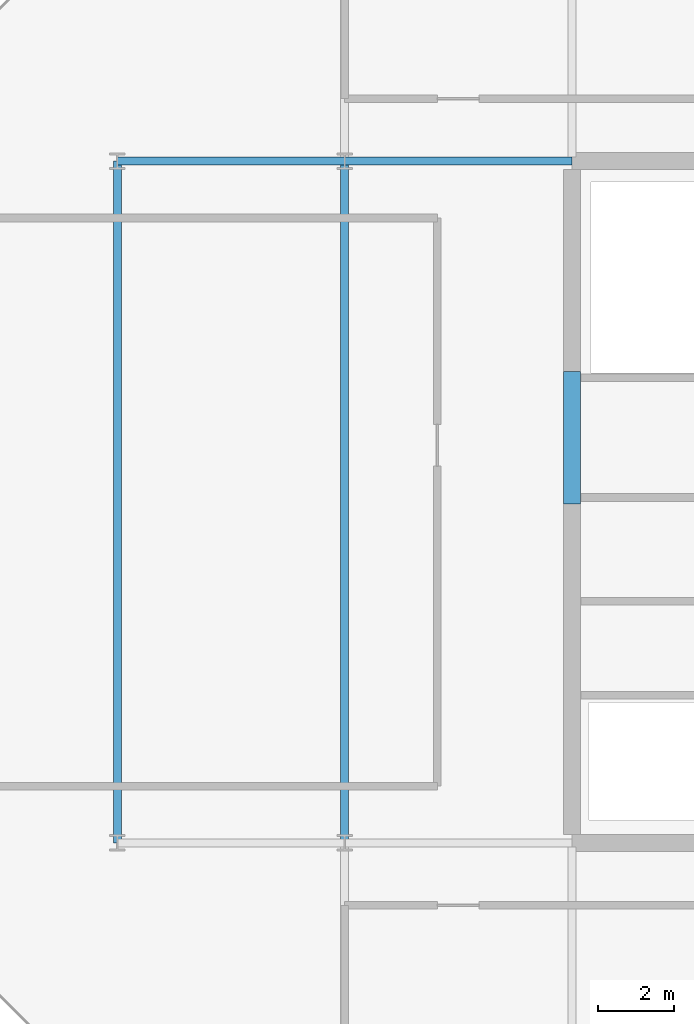
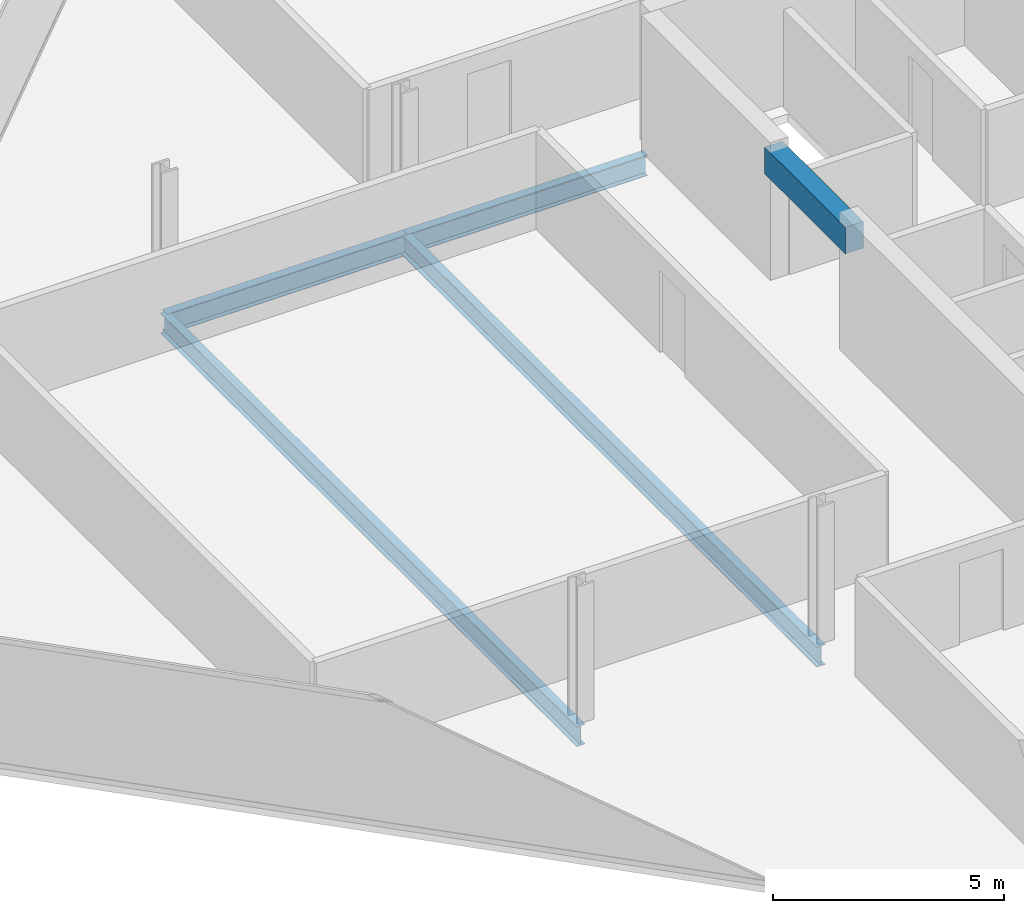
# One storey, part 5 of 16: 5 beams.
"""IFC4 building model written with IfcOpenShell, lengths in metres."""

from ifc_helpers import new_model, si_unit, direction, frame, origin, origin_2d, place, context, subcontext, project, spatial, rectangle, i_section, extrude, material, material_profile, profile_set, type_object, element, save


model = new_model("IFC4")

# Units and contexts
model_context = context("Model", 3, precision=1e-05, world=origin(), true_north=direction((0.0, 1.0)))
body_context = subcontext(model_context, "Body", "Model", "MODEL_VIEW")
ifc_project = project(units=[si_unit("LENGTHUNIT", "METRE"), si_unit("AREAUNIT", "SQUARE_METRE"), si_unit("VOLUMEUNIT", "CUBIC_METRE"), si_unit("PLANEANGLEUNIT", "RADIAN"), si_unit("MASSUNIT", "GRAM", prefix="KILO")], contexts=[model_context])

# Site, building, storey
site_placement = place(None, origin())
site = spatial("IfcSite", under=ifc_project, at=site_placement, CompositionType="ELEMENT")
building_placement = place(site_placement, origin())
building = spatial("IfcBuilding", under=site, at=building_placement, Name="Tanjung Sevakor Pilgrim Tower", CompositionType="ELEMENT")
storey_placement = place(building_placement, frame((0.0, 0.0, 275.219970703125)))
storey = spatial("IfcBuildingStorey", under=building, at=storey_placement, Name="L77", CompositionType="ELEMENT", Elevation=275.219970703125)

# Beams
ifc_material_1 = material(Name="Steel S355J2", Category="steel")
ifc_material_profile_1 = material_profile(ifc_material_1, i_section(OverallWidth=0.2119140625, OverallDepth=0.54443359375, WebThickness=0.0126953125, FlangeThickness=0.021240234375, FilletRadius=0.0126953125, at=origin_2d()))
ifc_profile_set_1 = profile_set([ifc_material_profile_1], Name="Steel S355J2")
beam_type_1 = type_object("IfcBeamType", Name="BM-B-G5-UB_533x210x122", PredefinedType="BEAM", material=ifc_profile_set_1)
for number, where, z_axis, x_axis, name in (
    (1, (66.0, 42.60009765625, -0.4921875), (1.0, 0.0, 0.0), (0.0, 1.0, 0.0), "L77 Primary Floor Girder EAST Y426-01"),
    (2, (72.0, 42.60009765625, -0.4921875), (1.0, 0.0, 0.0), (0.0, 1.0, 0.0), "L77 Primary Floor Girder EAST Y426-02"),
):
    element("IfcBeam", number, at=place(storey_placement, frame(where, z_axis=z_axis, x_axis=x_axis)), inside=storey, type_object=beam_type_1, Name=name, PredefinedType="BEAM", context=body_context, shape_type="SweptSolid", body=[
        extrude(i_section(OverallWidth=0.2119140625, OverallDepth=0.54443359375, WebThickness=0.0126953125, FlangeThickness=0.021240234375, FilletRadius=0.0126953125, at=origin_2d()), origin(), (0.0, 0.0, 1.0), 6.0),
    ])
ifc_material_2 = material(Name="Steel S355J2", Category="steel")
ifc_material_profile_2 = material_profile(ifc_material_2, i_section(OverallWidth=0.210693359375, OverallDepth=0.53955078125, WebThickness=0.01171875, FlangeThickness=0.018798828125, FilletRadius=0.0126953125, at=origin_2d()))
ifc_profile_set_2 = profile_set([ifc_material_profile_2], Name="Steel S355J2")
beam_type_2 = type_object("IfcBeamType", Name="BM-B-G6-UB_533x210x109", PredefinedType="BEAM", material=ifc_profile_set_2)
for number, where, z_axis, x_axis, name in (
    (3, (66.0, 24.60009765625, -0.48974609375), (0.0, 1.0, 0.0), (-1.0, 0.0, 0.0), "L77 EAST Girder 001"),
    (4, (72.0, 24.60009765625, -0.48974609375), (0.0, 1.0, 0.0), (-1.0, 0.0, 0.0), "L77 EAST Girder 003"),
):
    element("IfcBeam", number, at=place(storey_placement, frame(where, z_axis=z_axis, x_axis=x_axis)), inside=storey, type_object=beam_type_2, Name=name, PredefinedType="BEAM", context=body_context, shape_type="SweptSolid", body=[
        extrude(i_section(OverallWidth=0.210693359375, OverallDepth=0.53955078125, WebThickness=0.01171875, FlangeThickness=0.018798828125, FilletRadius=0.0126953125, at=origin_2d()), origin(), (0.0, 0.0, 1.0), 18.0),
    ])
ifc_material_3 = material(Name="Concrete C60/75", Category="concrete")
ifc_material_profile_3 = material_profile(ifc_material_3, rectangle(XDim=0.449951171875, YDim=0.699951171875, at=origin_2d()))
ifc_profile_set_3 = profile_set([ifc_material_profile_3], Name="Concrete C60/75")
beam_type_3 = type_object("IfcBeamType", Name="BM-B-LN3-RC-BM_450x700", PredefinedType="LINTEL", material=ifc_profile_set_3)
beam_placement = place(storey_placement, frame((78.0, 33.550048828125, 3.02001953125), z_axis=(0.0, 1.0, 0.0), x_axis=(-1.0, 0.0, 0.0)))
element("IfcBeam", 5, at=beam_placement, inside=storey, type_object=beam_type_3, Name="L77 E Core Coupling Lintel", PredefinedType="LINTEL", context=body_context, shape_type="SweptSolid", body=[
    extrude(rectangle(XDim=0.449951171875, YDim=0.699951171875, at=origin_2d()), origin(), (0.0, 0.0, 1.0), 3.5),
])

save(model, "model.ifc")
